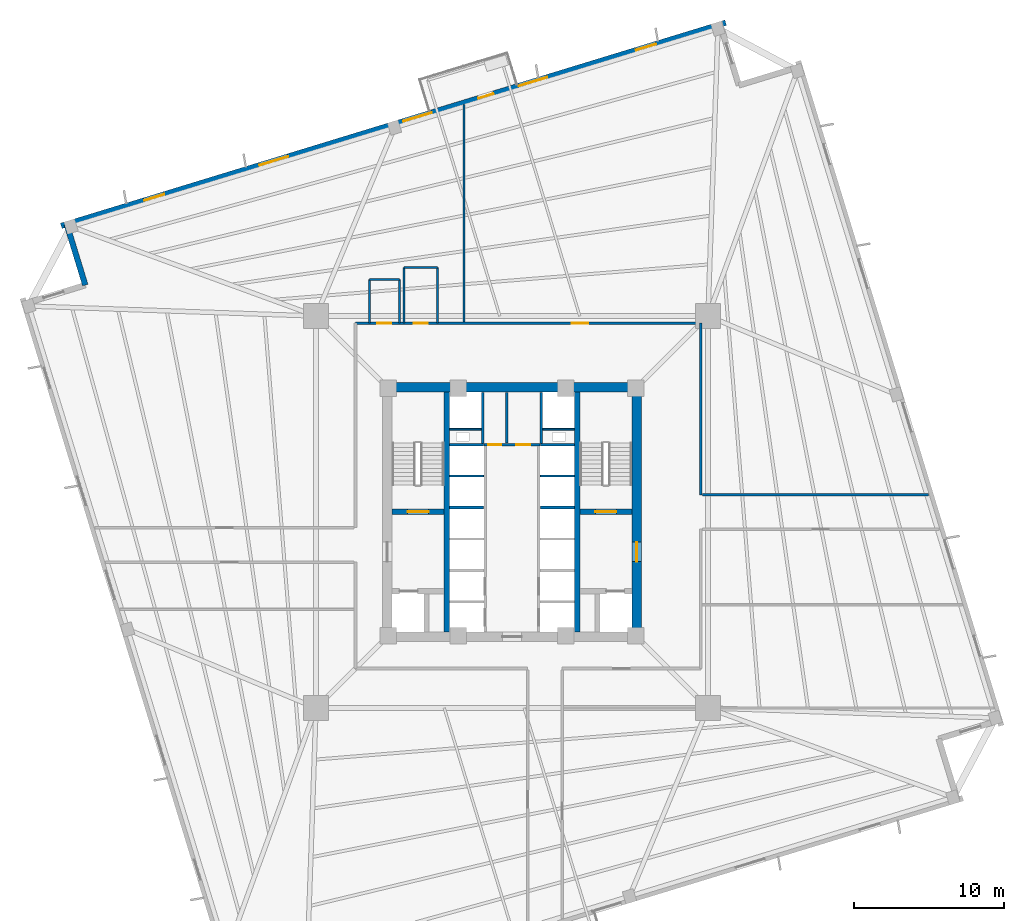
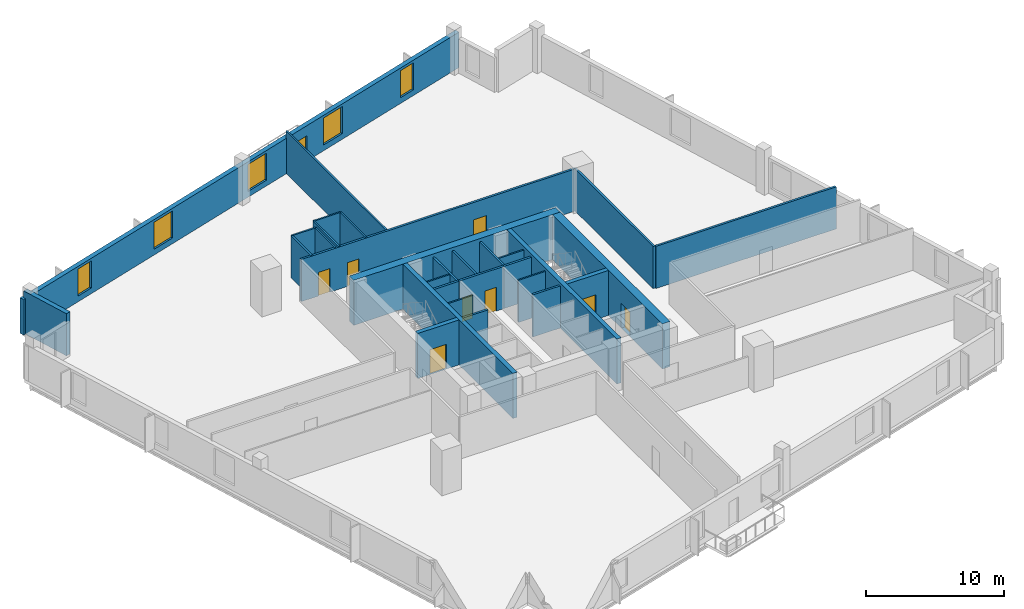
# One storey, part 4 of 8: 30 walls, 9 doors, 5 windows, 14 openings.
"""IFC4 building model written with IfcOpenShell, lengths in metres."""

import ifcopenshell
import ifcopenshell.guid

model = None  # the IFC model being written
_history = None  # IfcOwnerHistory: only IFC2X3 demands one
_inside = {}  # id of a spatial element -> (the spatial element, [elements in it])
_under = {}  # id of a project, library or spatial element -> (it, [spatial elements below it])
_declared = {}  # id of a project -> (the project, [libraries it declares])
_typed = {}  # id of a type object -> (the type object, [elements of that type])
_made_of = {}  # id of a material, layer set ... -> (it, [elements and type objects made of it])


def new_model(schema):
    """Start an empty IFC model of exactly this schema.

    Asked for "IFC4X3", IfcOpenShell would pick the latest addendum, in which some entities
    have other attributes; the version numbers below select the first issue.
    IFC2X3 requires an IfcOwnerHistory on every rooted entity: one is made here for all.
    """
    global model, _history
    if schema == "IFC4X3":
        model = ifcopenshell.file(schema_version=(4, 3, 0, 0))
    else:
        model = ifcopenshell.file(schema=schema)
    _inside.clear()
    _under.clear()
    _declared.clear()
    _typed.clear()
    _made_of.clear()
    _history = None
    if model.schema == "IFC2X3":
        org = make("IfcOrganization", Name="unknown")
        user = make(
            "IfcPersonAndOrganization",
            ThePerson=make("IfcPerson", FamilyName="unknown"),
            TheOrganization=org,
        )
        app = make(
            "IfcApplication",
            ApplicationDeveloper=org,
            Version="unknown",
            ApplicationFullName="unknown",
            ApplicationIdentifier="unknown",
        )
        _history = make(
            "IfcOwnerHistory",
            OwningUser=user,
            OwningApplication=app,
            ChangeAction="ADDED",
            CreationDate=0,
        )
    return model


def make(cls, **values):
    """One entity of the class cls with the attributes given. An attribute that is None is left unset."""
    return model.create_entity(
        cls, **{name: value for name, value in values.items() if value is not None}
    )


def rooted(cls, **values):
    """An entity with a GlobalId (a new one), such as an element, a storey or a relation."""
    return make(cls, GlobalId=ifcopenshell.guid.new(), OwnerHistory=_history, **values)


def si_unit(unit_type, name, prefix=None):
    """IfcSIUnit, for example si_unit("LENGTHUNIT", "METRE", prefix="MILLI")."""
    return make("IfcSIUnit", UnitType=unit_type, Prefix=prefix, Name=name)


def assignment(units):
    """IfcUnitAssignment: the units of a project."""
    return None if units is None else make("IfcUnitAssignment", Units=units)


def point(xyz):
    """IfcCartesianPoint."""
    return None if xyz is None else make("IfcCartesianPoint", Coordinates=xyz)


def direction(xyz):
    """IfcDirection."""
    return None if xyz is None else make("IfcDirection", DirectionRatios=xyz)


def frame(location, z_axis=None, x_axis=None):
    """IfcAxis2Placement3D, a coordinate frame: its origin and axes. An axis left out is left unset."""
    return make(
        "IfcAxis2Placement3D",
        Location=point(location),
        Axis=direction(z_axis),
        RefDirection=direction(x_axis),
    )


def frame_2d(location, x_axis=None):
    """IfcAxis2Placement2D, a coordinate frame in the plane: its origin and x axis."""
    return make(
        "IfcAxis2Placement2D", Location=point(location), RefDirection=direction(x_axis)
    )


def origin():
    """The frame at (0, 0, 0) with its axes left unset."""
    return frame((0.0, 0.0, 0.0))


def place(relative_to, where):
    """IfcLocalPlacement: puts the frame where relative to a parent placement (None: the world)."""
    return make(
        "IfcLocalPlacement", PlacementRelTo=relative_to, RelativePlacement=where
    )


def context(
    kind, dimensions, precision=None, world=None, true_north=None, identifier=None
):
    """IfcGeometricRepresentationContext, for example the 3D "Model" context."""
    return make(
        "IfcGeometricRepresentationContext",
        ContextIdentifier=identifier,
        ContextType=kind,
        CoordinateSpaceDimension=dimensions,
        Precision=precision,
        WorldCoordinateSystem=world,
        TrueNorth=true_north,
    )


def subcontext(parent, identifier, kind, view, scale=None):
    """IfcGeometricRepresentationSubContext, for example "Body" below "Model"."""
    return make(
        "IfcGeometricRepresentationSubContext",
        ContextIdentifier=identifier,
        ContextType=kind,
        ParentContext=parent,
        TargetScale=scale,
        TargetView=view,
    )


def project(units=None, contexts=None):
    """IfcProject with its units and contexts."""
    return rooted(
        "IfcProject",
        Name="project",
        RepresentationContexts=contexts,
        UnitsInContext=assignment(units),
    )


def spatial(cls, under=None, at=None, **own):
    """A site, building, storey or space (cls), placed at a placement, below another one or the project."""
    s = rooted(cls, ObjectPlacement=at, **own)
    if under is not None:
        _under.setdefault(under.id(), (under, []))[1].append(s)
    return s


def profile(cls, at=None, kind="AREA", **sizes):
    """A parametric profile (cls). Its sizes go by their IFC names, for example OverallWidth=200.0."""
    return make(cls, ProfileType=kind, Position=at, **sizes)


def rectangle(**sizes):
    """IfcRectangleProfileDef."""
    return profile("IfcRectangleProfileDef", **sizes)


def extrude(swept, where, along, depth):
    """IfcExtrudedAreaSolid: the profile swept, set in the frame where, extruded along a direction by depth."""
    return make(
        "IfcExtrudedAreaSolid",
        SweptArea=swept,
        Position=where,
        ExtrudedDirection=direction(along),
        Depth=depth,
    )


def shape(context_of_items, identifier, shape_type, items):
    """IfcShapeRepresentation: the items that make up one representation, for example the "Body"."""
    return make(
        "IfcShapeRepresentation",
        ContextOfItems=context_of_items,
        RepresentationIdentifier=identifier,
        RepresentationType=shape_type,
        Items=items,
    )


def source(mapping_origin, context_of_items, identifier, shape_type, items):
    """IfcRepresentationMap: a shape defined once, which mapped items show again and again."""
    return make(
        "IfcRepresentationMap",
        MappingOrigin=mapping_origin,
        MappedRepresentation=shape(context_of_items, identifier, shape_type, items),
    )


def transform(
    local_origin,
    x_axis=None,
    y_axis=None,
    z_axis=None,
    scale=None,
    scale2=None,
    scale3=None,
    uniform=True,
):
    """IfcCartesianTransformationOperator3D, or its non-uniform kind. x_axis, y_axis, z_axis: its Axis1, 2, 3."""
    if uniform:
        return make(
            "IfcCartesianTransformationOperator3D",
            Axis1=direction(x_axis),
            Axis2=direction(y_axis),
            LocalOrigin=point(local_origin),
            Scale=scale,
            Axis3=direction(z_axis),
        )
    return make(
        "IfcCartesianTransformationOperator3DnonUniform",
        Axis1=direction(x_axis),
        Axis2=direction(y_axis),
        LocalOrigin=point(local_origin),
        Scale=scale,
        Axis3=direction(z_axis),
        Scale2=scale2,
        Scale3=scale3,
    )


def mapped(mapping_source, mapping_target):
    """IfcMappedItem: shows the shape of a source again, moved by a transform."""
    return make(
        "IfcMappedItem", MappingSource=mapping_source, MappingTarget=mapping_target
    )


def material(Name=None, Category=None):
    """IfcMaterial."""
    return make("IfcMaterial", Name=Name, Category=Category)


def layer(
    of_material, thickness, ventilated=None, Name=None, Category=None, Priority=None
):
    """IfcMaterialLayer: one layer of a wall or slab, of a material (None: an air gap)."""
    return make(
        "IfcMaterialLayer",
        Material=of_material,
        LayerThickness=thickness,
        IsVentilated=ventilated,
        Name=Name,
        Category=Category,
        Priority=Priority,
    )


def layer_set(layers, Name=None):
    """IfcMaterialLayerSet."""
    return make("IfcMaterialLayerSet", MaterialLayers=layers, LayerSetName=Name)


def made_of(thing, what):
    """Note that an element or type object is made of a material, layer set ...; save() writes the relation."""
    if what is not None:
        _made_of.setdefault(what.id(), (what, []))[1].append(thing)
    return thing


def type_object(cls, material=None, **own):
    """A type object (cls), such as IfcWallType, which elements share."""
    return made_of(rooted(cls, **own), material)


def element(
    cls,
    number,
    at=None,
    inside=None,
    cuts=None,
    type_object=None,
    material=None,
    context=None,
    identifier="Body",
    shape_type=None,
    held_by="IfcProductDefinitionShape",
    body=None,
    shapes=None,
    **own,
):
    """One element of the class cls, such as IfcWall. Its Tag is "e" and its number.

    at: its placement. inside: the storey or other place that contains it. cuts: it is an
    opening in that element (IfcRelVoidsElement). A single representation is given by context,
    identifier, shape_type and body (its items); several are given by shapes. held_by: the class
    of the entity that holds the representations. save() writes the other relations.
    """
    e = rooted(cls, Tag="e%d" % number, ObjectPlacement=at, **own)
    if body is not None:
        shapes = [shape(context, identifier, shape_type, body)]
    if shapes is not None:
        e.Representation = make(held_by, Representations=shapes)
    if inside is not None:
        _inside.setdefault(inside.id(), (inside, []))[1].append(e)
    if cuts is not None:
        rooted(
            "IfcRelVoidsElement", RelatingBuildingElement=cuts, RelatedOpeningElement=e
        )
    if type_object is not None:
        _typed.setdefault(type_object.id(), (type_object, []))[1].append(e)
    return made_of(e, material)


def fill(opening, filler):
    """IfcRelFillsElement: the door or window that sits in an opening."""
    return rooted(
        "IfcRelFillsElement",
        RelatingOpeningElement=opening,
        RelatedBuildingElement=filler,
    )


def aggregate(whole, parts):
    """IfcRelAggregates: a whole, such as a stair, and the parts it consists of."""
    return rooted("IfcRelAggregates", RelatingObject=whole, RelatedObjects=parts)


def save(model, path):
    """Write the relations noted so far, then the file.

    IfcRelAggregates (storeys below a building ...), IfcRelContainedInSpatialStructure (elements
    in a storey), IfcRelDefinesByType, IfcRelAssociatesMaterial and IfcRelDeclares: one each for
    every whole, place, type object, material and project.
    """
    for whole, parts in _under.values():
        aggregate(whole, parts)
    for where, things in _inside.values():
        rooted(
            "IfcRelContainedInSpatialStructure",
            RelatedElements=things,
            RelatingStructure=where,
        )
    for kind, things in _typed.values():
        rooted("IfcRelDefinesByType", RelatedObjects=things, RelatingType=kind)
    for what, things in _made_of.values():
        rooted("IfcRelAssociatesMaterial", RelatedObjects=things, RelatingMaterial=what)
    for by, libraries in _declared.values():
        rooted("IfcRelDeclares", RelatingContext=by, RelatedDefinitions=libraries)
    model.write(path)


model = new_model("IFC4")

# Units and contexts
model_context = context("Model", 3, precision=1e-05, world=origin(), true_north=direction((0.0, 1.0)))
body_context = subcontext(model_context, "Body", "Model", "MODEL_VIEW")
ifc_project = project(units=[si_unit("LENGTHUNIT", "METRE"), si_unit("AREAUNIT", "SQUARE_METRE"), si_unit("VOLUMEUNIT", "CUBIC_METRE"), si_unit("PLANEANGLEUNIT", "RADIAN"), si_unit("MASSUNIT", "GRAM", prefix="KILO"), si_unit("THERMODYNAMICTEMPERATUREUNIT", "KELVIN")], contexts=[model_context])

# Site, building, storey
site_placement = place(None, origin())
site = spatial("IfcSite", under=ifc_project, at=site_placement, CompositionType="ELEMENT")
building_placement = place(site_placement, origin())
building = spatial("IfcBuilding", under=site, at=building_placement, Name="Kosmvard Interchange Tower", CompositionType="ELEMENT")
storey_placement = place(building_placement, frame((0.0, 0.0, 103.199951171875)))
storey = spatial("IfcBuildingStorey", under=building, at=storey_placement, Name="L24", CompositionType="ELEMENT", Elevation=103.199951171875)

# Walls
ifc_material_1 = material(Name="Acoustic gypsum partition system")
ifc_layer_1 = layer(ifc_material_1, 0.14990234375, Name="Acoustic gypsum partition system")
ifc_layer_set_1 = layer_set([ifc_layer_1], Name="Acoustic gypsum partition system")
wall_type_1 = type_object("IfcWallType", Name="Acoustic Suite & Meeting Partition 150", PredefinedType="PARTITIONING", material=ifc_layer_set_1)
wall_1_placement = place(storey_placement, frame((-3.199951171875, 12.695068359375, 0.0), z_axis=(0.0, 0.0, 1.0), x_axis=(0.0, 1.0, 0.0)))
element("IfcWall", 1, at=wall_1_placement, inside=storey, type_object=wall_type_1, Name="L24 Room Partition 01.1", PredefinedType="PARTITIONING", context=body_context, shape_type="SweptSolid", body=[
    extrude(rectangle(XDim=14.4921875, YDim=0.14990234375, at=frame_2d((7.24609375, 0.0))), origin(), (0.0, 0.0, 1.0), 3.739990234375),
])
ifc_material_2 = material(Name="Fire-rated gypsum partition system")
ifc_layer_2 = layer(ifc_material_2, 0.159912109375, Name="Fire-rated gypsum partition system")
ifc_layer_set_2 = layer_set([ifc_layer_2], Name="Fire-rated gypsum partition system")
wall_type_2 = type_object("IfcWallType", Name="Core Compartment & Shuttle Lobby Partition 160", PredefinedType="PARTITIONING", material=ifc_layer_set_2)
for number, where, z_axis, x_axis, name in (
    (2, (-1.9599609375, 4.580078125, 0.0), (0.0, 0.0, 1.0), (0.0, 1.0, 0.0), "L24 North Core West Wall"),
    (3, (1.9599609375, 4.580078125, 0.0), (0.0, 0.0, 1.0), (0.0, 1.0, 0.0), "L24 North Core East Wall"),
):
    element("IfcWall", number, at=place(storey_placement, frame(where, z_axis=z_axis, x_axis=x_axis)), inside=storey, type_object=wall_type_2, Name=name, PredefinedType="PARTITIONING", context=body_context, shape_type="SweptSolid", body=[
        extrude(rectangle(XDim=3.39990234375, YDim=0.159912109375, at=frame_2d((1.699951171875, 0.0))), origin(), (0.0, 0.0, 1.0), 3.739990234375),
    ])
ifc_material_3 = material(Name="Concrete blockwork masonry", Category="masonry")
ifc_layer_3 = layer(ifc_material_3, 0.159912109375, Name="Concrete blockwork masonry")
ifc_layer_set_3 = layer_set([ifc_layer_3], Name="Concrete blockwork masonry")
wall_type_3 = type_object("IfcWallType", Name="Core Enclosure Split Wall 160", PredefinedType="PARTITIONING", material=ifc_layer_set_3)
wall_2_placement = place(storey_placement, frame((-0.35009765625, 4.60009765625, 0.0), z_axis=(0.0, 0.0, 1.0), x_axis=(0.0, 1.0, 0.0)))
element("IfcWall", 4, at=wall_2_placement, inside=storey, type_object=wall_type_3, Name="L24 Core K2 Split Wall", PredefinedType="PARTITIONING", context=body_context, shape_type="SweptSolid", body=[
    extrude(rectangle(XDim=3.3798828125, YDim=0.159912109375, at=frame_2d((1.68994140625, 0.0))), origin(), (0.0, 0.0, 1.0), 3.739990234375),
])

# Wall, openings, doors
ifc_layer_4 = layer(ifc_material_2, 0.179931640625, Name="Fire-rated gypsum partition system")
ifc_layer_set_4 = layer_set([ifc_layer_4], Name="Fire-rated gypsum partition system")
wall_type_4 = type_object("IfcWallType", Name="Corridor & Hotel Compartment Partition 180", PredefinedType="PARTITIONING", material=ifc_layer_set_4)
wall_3_placement = place(storey_placement, frame((-1.8798828125, 4.489990234375, 0.0), z_axis=(0.0, 0.0, 1.0), x_axis=(1.0, 0.0, 0.0)))
wall_3 = element("IfcWall", 5, at=wall_3_placement, inside=storey, type_object=wall_type_4, Name="L24 Lift Lobby North Partition", PredefinedType="PARTITIONING", context=body_context, shape_type="SweptSolid", body=[
    extrude(rectangle(XDim=3.759765625, YDim=0.179931640625, at=frame_2d((1.8798828125, 0.0))), origin(), (0.0, 0.0, 1.0), 3.739990234375),
])
opening_1_placement = place(wall_3_placement, frame((0.280029296875, 0.0, 0.0)))
opening_1 = element("IfcOpeningElement", 6, at=opening_1_placement, cuts=wall_3, Name="Opening L24-KD1", PredefinedType="OPENING", context=body_context, shape_type="SweptSolid", body=[
    extrude(rectangle(XDim=0.8798828125, YDim=2.10009765625, at=frame_2d((0.43994140625, 1.050048828125))), frame((0.0, 0.10009765625, 0.0), z_axis=(0.0, -1.0, 0.0), x_axis=(1.0, 0.0, 0.0)), (0.0, 0.0, 1.0), 0.199951171875),
])
opening_2_placement = place(wall_3_placement, frame((2.14990234375, 0.0, 0.0)))
opening_2 = element("IfcOpeningElement", 7, at=opening_2_placement, cuts=wall_3, Name="Opening L24-KD2", PredefinedType="OPENING", context=body_context, shape_type="SweptSolid", body=[
    extrude(rectangle(XDim=0.949951171875, YDim=2.10009765625, at=frame_2d((0.47509765625, 1.050048828125))), frame((0.0, 0.10009765625, 0.0), z_axis=(0.0, -1.0, 0.0), x_axis=(1.0, 0.0, 0.0)), (0.0, 0.0, 1.0), 0.199951171875),
])
ifc_material_4 = material(Name="Painted fire-rated timber leaf", Category="wood")
door_type_1 = type_object("IfcDoorType", Name="Core Service Fire Door 950x2100 EI30", OperationType="NOTDEFINED", PredefinedType="DOOR", material=ifc_material_4)
shared_shape_1 = source(origin(), body_context, "Body", "SweptSolid", [
    extrude(rectangle(XDim=0.949951171875, YDim=2.10009765625, at=frame_2d((0.47509765625, 1.050048828125))), frame((0.0, 0.02490234375, 0.0), z_axis=(0.0, -1.0, 0.0), x_axis=(1.0, 0.0, 0.0)), (0.0, 0.0, 1.0), 0.050048828125),
])
door_1_placement = place(opening_2_placement, origin())
door_1 = element("IfcDoor", 8, at=door_1_placement, inside=storey, type_object=door_type_1, Name="L24 Core Tea Pantry Door", OperationType="SINGLE_SWING_RIGHT", OverallHeight=2.10009765625, OverallWidth=0.949951171875, PredefinedType="DOOR", context=body_context, shape_type="MappedRepresentation", body=[
    mapped(shared_shape_1, transform((0.0, 0.0, 0.0), scale=1.0)),
])
fill(opening_2, door_1)
door_type_2 = type_object("IfcDoorType", Name="Core Cupboard Fire Door 880x2100 EI30", OperationType="NOTDEFINED", PredefinedType="DOOR", material=ifc_material_4)
shared_shape_2 = source(origin(), body_context, "Body", "SweptSolid", [
    extrude(rectangle(XDim=0.8798828125, YDim=2.10009765625, at=frame_2d((0.43994140625, 1.050048828125))), frame((0.0, 0.02490234375, 0.0), z_axis=(0.0, -1.0, 0.0), x_axis=(1.0, 0.0, 0.0)), (0.0, 0.0, 1.0), 0.050048828125),
])
door_2_placement = place(opening_1_placement, origin())
door_2 = element("IfcDoor", 9, at=door_2_placement, inside=storey, type_object=door_type_2, Name="L24 Core Cleaner Cupboard Door", OperationType="SINGLE_SWING_LEFT", OverallHeight=2.10009765625, OverallWidth=0.8798828125, PredefinedType="DOOR", context=body_context, shape_type="MappedRepresentation", body=[
    mapped(shared_shape_2, transform((0.0, 0.0, 0.0), scale=1.0)),
])
fill(opening_1, door_2)

wall_4_placement = place(storey_placement, frame((-10.449951171875, 12.60009765625, 0.0), z_axis=(0.0, 0.0, 1.0), x_axis=(1.0, 0.0, 0.0)))
wall_4 = element("IfcWall", 10, at=wall_4_placement, inside=storey, type_object=wall_type_4, Name="L24 Corridor Wall CN", PredefinedType="PARTITIONING", context=body_context, shape_type="SweptSolid", body=[
    extrude(rectangle(XDim=23.050048828125, YDim=0.179931640625, at=frame_2d((11.52490234375, 0.0))), origin(), (0.0, 0.0, 1.0), 3.739990234375),
])
opening_3_placement = place(wall_4_placement, frame((1.455078125, 0.0, 0.0)))
opening_3 = element("IfcOpeningElement", 11, at=opening_3_placement, cuts=wall_4, Name="Opening L24-D01", PredefinedType="OPENING", context=body_context, shape_type="SweptSolid", body=[
    extrude(rectangle(XDim=0.949951171875, YDim=2.10009765625, at=frame_2d((0.47509765625, 1.050048828125))), frame((0.0, 0.10009765625, 0.0), z_axis=(0.0, -1.0, 0.0), x_axis=(1.0, 0.0, 0.0)), (0.0, 0.0, 1.0), 0.199951171875),
])
opening_4_placement = place(wall_4_placement, frame((3.879150390625, 0.0, 0.0)))
opening_4 = element("IfcOpeningElement", 12, at=opening_4_placement, cuts=wall_4, Name="Opening L24-D02", PredefinedType="OPENING", context=body_context, shape_type="SweptSolid", body=[
    extrude(rectangle(XDim=0.949951171875, YDim=2.10009765625, at=frame_2d((0.47509765625, 1.050048828125))), frame((0.0, 0.10009765625, 0.0), z_axis=(0.0, -1.0, 0.0), x_axis=(1.0, 0.0, 0.0)), (0.0, 0.0, 1.0), 0.199951171875),
])
opening_5_placement = place(wall_4_placement, frame((14.435546875, 0.0, 0.0)))
opening_5 = element("IfcOpeningElement", 13, at=opening_5_placement, cuts=wall_4, Name="Opening L24-D04", PredefinedType="OPENING", context=body_context, shape_type="SweptSolid", body=[
    extrude(rectangle(XDim=1.10009765625, YDim=2.199951171875, at=frame_2d((0.550048828125, 1.10009765625))), frame((0.0, 0.10009765625, 0.0), z_axis=(0.0, -1.0, 0.0), x_axis=(1.0, 0.0, 0.0)), (0.0, 0.0, 1.0), 0.199951171875),
])
ifc_material_5 = material(Name="Laminated moisture-resistant timber", Category="wood")
door_type_3 = type_object("IfcDoorType", Name="Accessible Washroom Door 950x2100", OperationType="NOTDEFINED", PredefinedType="DOOR", material=ifc_material_5)
door_3_placement = place(opening_3_placement, origin())
door_3 = element("IfcDoor", 14, at=door_3_placement, inside=storey, type_object=door_type_3, Name="L24 Accessible Toilet Door", OperationType="SINGLE_SWING_LEFT", OverallHeight=2.10009765625, OverallWidth=0.949951171875, PredefinedType="DOOR", context=body_context, shape_type="MappedRepresentation", body=[
    mapped(shared_shape_1, transform((0.0, 0.0, 0.0), scale=1.0)),
])
fill(opening_3, door_3)
door_4_placement = place(opening_4_placement, origin())
door_4 = element("IfcDoor", 15, at=door_4_placement, inside=storey, type_object=door_type_3, Name="L24 Public Floor Washroom Door", OperationType="SINGLE_SWING_RIGHT", OverallHeight=2.10009765625, OverallWidth=0.949951171875, PredefinedType="DOOR", context=body_context, shape_type="MappedRepresentation", body=[
    mapped(shared_shape_1, transform((0.0, 0.0, 0.0), scale=1.0)),
])
fill(opening_4, door_4)
ifc_material_6 = material(Name="Engineered oak fire-rated timber", Category="wood")
door_type_4 = type_object("IfcDoorType", Name="Office Suite Entrance Door 1100x2200 FD30S", OperationType="NOTDEFINED", PredefinedType="DOOR", material=ifc_material_6)
shared_shape_3 = source(origin(), body_context, "Body", "SweptSolid", [
    extrude(rectangle(XDim=1.10009765625, YDim=2.199951171875, at=frame_2d((0.550048828125, 1.10009765625))), frame((0.0, 0.02490234375, 0.0), z_axis=(0.0, -1.0, 0.0), x_axis=(1.0, 0.0, 0.0)), (0.0, 0.0, 1.0), 0.050048828125),
])
door_5_placement = place(opening_5_placement, origin())
door_5 = element("IfcDoor", 16, at=door_5_placement, inside=storey, type_object=door_type_4, Name="L24 Corporate Media Club Door", OperationType="SINGLE_SWING_RIGHT", OverallHeight=2.199951171875, OverallWidth=1.10009765625, PredefinedType="DOOR", context=body_context, shape_type="MappedRepresentation", body=[
    mapped(shared_shape_3, transform((0.0, 0.0, 0.0), scale=1.0)),
])
fill(opening_5, door_5)

# Walls
wall_5_placement = place(storey_placement, frame((12.60009765625, 1.14990234375, 0.0), z_axis=(0.0, 0.0, 1.0), x_axis=(0.0, 1.0, 0.0)))
element("IfcWall", 17, at=wall_5_placement, inside=storey, type_object=wall_type_4, Name="L24 Corridor Wall CEN", PredefinedType="PARTITIONING", context=body_context, shape_type="SweptSolid", body=[
    extrude(rectangle(XDim=11.4501953125, YDim=0.179931640625, at=frame_2d((5.72509765625, 0.0))), origin(), (0.0, 0.0, 1.0), 3.739990234375),
])
wall_6_placement = place(storey_placement, frame((12.699951171875, 1.14990234375, 0.0), z_axis=(0.0, 0.0, 1.0), x_axis=(1.0, 0.0, 0.0)))
element("IfcWall", 18, at=wall_6_placement, inside=storey, type_object=wall_type_4, Name="L24 Corridor Wall SEN", PredefinedType="PARTITIONING", context=body_context, shape_type="SweptSolid", body=[
    extrude(rectangle(XDim=15.1142578125, YDim=0.179931640625, at=frame_2d((7.55712890625, 0.0))), origin(), (0.0, 0.0, 1.0), 3.739990234375),
])

# Wall, openings, door, windows
ifc_material_7 = material(Name="Precast concrete C45/55", Category="concrete")
ifc_layer_5 = layer(ifc_material_7, 0.3798828125, Name="Precast concrete C45/55")
ifc_layer_set_5 = layer_set([ifc_layer_5], Name="Precast concrete C45/55")
wall_type_5 = type_object("IfcWallType", Name="Lower Tower Precast Pier Wall 380 C45/55", PredefinedType="STANDARD", material=ifc_layer_set_5)
wall_7_placement = place(storey_placement, frame((14.26513671875, 32.65771484375, 0.0), z_axis=(0.0, 0.0, 1.0), x_axis=(-0.956304320851, -0.292373127906, 0.0)))
wall_7 = element("IfcWall", 19, at=wall_7_placement, inside=storey, type_object=wall_type_5, Name="L24 Precast Facade Wall F-N", PredefinedType="STANDARD", context=body_context, shape_type="SweptSolid", body=[
    extrude(rectangle(XDim=46.380126953125, YDim=0.3798828125, at=frame_2d((23.18994140625, 0.0))), origin(), (0.0, 0.0, 1.0), 3.14013671875),
])
opening_6_placement = place(wall_7_placement, frame((16.215087890625, 0.0, 0.0)))
opening_6 = element("IfcOpeningElement", 20, at=opening_6_placement, cuts=wall_7, Name="Opening L24-BDN", PredefinedType="OPENING", context=body_context, shape_type="SweptSolid", body=[
    extrude(rectangle(XDim=1.050048828125, YDim=2.25, at=frame_2d((0.52490234375, 1.125))), frame((0.0, 0.199951171875, 0.0), z_axis=(0.0, -1.0, 0.0), x_axis=(1.0, 0.0, 0.0)), (0.0, 0.0, 1.0), 0.39990234375),
])
opening_7_placement = place(wall_7_placement, frame((4.865478515625, 0.0, 0.510009765625)))
opening_7 = element("IfcOpeningElement", 21, at=opening_7_placement, cuts=wall_7, Name="Opening L24-W11", PredefinedType="OPENING", context=body_context, shape_type="SweptSolid", body=[
    extrude(rectangle(XDim=1.39990234375, YDim=2.39990234375, at=frame_2d((0.699951171875, 1.199951171875))), frame((0.0, 0.199951171875, 0.0), z_axis=(0.0, -1.0, 0.0), x_axis=(1.0, 0.0, 0.0)), (0.0, 0.0, 1.0), 0.39990234375),
])
opening_8_placement = place(wall_7_placement, frame((12.4501953125, 0.0, 0.510009765625)))
opening_8 = element("IfcOpeningElement", 22, at=opening_8_placement, cuts=wall_7, Name="Opening L24-W12", PredefinedType="OPENING", context=body_context, shape_type="SweptSolid", body=[
    extrude(rectangle(XDim=2.0, YDim=2.39990234375, at=frame_2d((1.0, 1.199951171875))), frame((0.0, 0.199951171875, 0.0), z_axis=(0.0, -1.0, 0.0), x_axis=(1.0, 0.0, 0.0)), (0.0, 0.0, 1.0), 0.39990234375),
])
opening_9_placement = place(wall_7_placement, frame((20.512451171875, 0.0, 0.510009765625)))
opening_9 = element("IfcOpeningElement", 23, at=opening_9_placement, cuts=wall_7, Name="Opening L24-W13", PredefinedType="OPENING", context=body_context, shape_type="SweptSolid", body=[
    extrude(rectangle(XDim=2.0, YDim=2.39990234375, at=frame_2d((1.0, 1.199951171875))), frame((0.0, 0.199951171875, 0.0), z_axis=(0.0, -1.0, 0.0), x_axis=(1.0, 0.0, 0.0)), (0.0, 0.0, 1.0), 0.39990234375),
])
opening_10_placement = place(wall_7_placement, frame((30.538330078125, 0.0, 0.510009765625)))
opening_10 = element("IfcOpeningElement", 24, at=opening_10_placement, cuts=wall_7, Name="Opening L24-W14", PredefinedType="OPENING", context=body_context, shape_type="SweptSolid", body=[
    extrude(rectangle(XDim=2.0, YDim=2.39990234375, at=frame_2d((1.0, 1.199951171875))), frame((0.0, 0.199951171875, 0.0), z_axis=(0.0, -1.0, 0.0), x_axis=(1.0, 0.0, 0.0)), (0.0, 0.0, 1.0), 0.39990234375),
])
opening_11_placement = place(wall_7_placement, frame((39.186767578125, 0.0, 0.510009765625)))
opening_11 = element("IfcOpeningElement", 25, at=opening_11_placement, cuts=wall_7, Name="Opening L24-W15", PredefinedType="OPENING", context=body_context, shape_type="SweptSolid", body=[
    extrude(rectangle(XDim=1.39990234375, YDim=2.39990234375, at=frame_2d((0.699951171875, 1.199951171875))), frame((0.0, 0.199951171875, 0.0), z_axis=(0.0, -1.0, 0.0), x_axis=(1.0, 0.0, 0.0)), (0.0, 0.0, 1.0), 0.39990234375),
])
ifc_material_8 = material(Name="Anodised aluminium and safety glass", Category="aluminium")
door_type_5 = type_object("IfcDoorType", Name="Tree-Balcony Glazed Door 1050x2250", OperationType="NOTDEFINED", PredefinedType="DOOR", material=ifc_material_8)
shared_shape_4 = source(origin(), body_context, "Body", "SweptSolid", [
    extrude(rectangle(XDim=1.050048828125, YDim=2.25, at=frame_2d((0.52490234375, 1.125))), frame((0.0, 0.02490234375, 0.0), z_axis=(0.0, -1.0, 0.0), x_axis=(1.0, 0.0, 0.0)), (0.0, 0.0, 1.0), 0.050048828125),
])
door_6_placement = place(opening_6_placement, origin())
door_6 = element("IfcDoor", 26, at=door_6_placement, inside=storey, type_object=door_type_5, Name="L24 Tree-Balcony Door BAL-L24-N", OperationType="SINGLE_SWING_LEFT", OverallHeight=2.25, OverallWidth=1.050048828125, PredefinedType="DOOR", context=body_context, shape_type="MappedRepresentation", body=[
    mapped(shared_shape_4, transform((0.0, 0.0, 0.0), scale=1.0)),
])
fill(opening_6, door_6)
ifc_material_9 = material(Name="Low-E solar-control double glazing", Category="glass")
window_type_1 = type_object("IfcWindowType", Name="Notched Corner Feature Window 1400x2400", PartitioningType="SINGLE_PANEL", PredefinedType="WINDOW", material=ifc_material_9)
shared_shape_5 = source(origin(), body_context, "Body", "SweptSolid", [
    extrude(rectangle(XDim=1.39990234375, YDim=2.39990234375, at=frame_2d((0.699951171875, 1.199951171875))), frame((0.0, 0.030029296875, 0.0), z_axis=(0.0, -1.0, 0.0), x_axis=(1.0, 0.0, 0.0)), (0.0, 0.0, 1.0), 0.06005859375),
])
window_1_placement = place(opening_7_placement, origin())
window_1 = element("IfcWindow", 27, at=window_1_placement, inside=storey, type_object=window_type_1, Name="L24 Facade Punched Window 11", OverallHeight=2.39990234375, OverallWidth=1.39990234375, PartitioningType="SINGLE_PANEL", PredefinedType="WINDOW", context=body_context, shape_type="MappedRepresentation", body=[
    mapped(shared_shape_5, transform((0.0, 0.0, 0.0), scale=1.0)),
])
fill(opening_7, window_1)
window_2_placement = place(opening_11_placement, origin())
window_2 = element("IfcWindow", 28, at=window_2_placement, inside=storey, type_object=window_type_1, Name="L24 Facade Punched Window 15", OverallHeight=2.39990234375, OverallWidth=1.39990234375, PartitioningType="SINGLE_PANEL", PredefinedType="WINDOW", context=body_context, shape_type="MappedRepresentation", body=[
    mapped(shared_shape_5, transform((0.0, 0.0, 0.0), scale=1.0)),
])
fill(opening_11, window_2)
window_type_2 = type_object("IfcWindowType", Name="Zone 2 Office Punched Window 2000x2400", PartitioningType="SINGLE_PANEL", PredefinedType="WINDOW", material=ifc_material_9)
shared_shape_6 = source(origin(), body_context, "Body", "SweptSolid", [
    extrude(rectangle(XDim=2.0, YDim=2.39990234375, at=frame_2d((1.0, 1.199951171875))), frame((0.0, 0.030029296875, 0.0), z_axis=(0.0, -1.0, 0.0), x_axis=(1.0, 0.0, 0.0)), (0.0, 0.0, 1.0), 0.06005859375),
])
window_3_placement = place(opening_8_placement, origin())
window_3 = element("IfcWindow", 29, at=window_3_placement, inside=storey, type_object=window_type_2, Name="L24 Facade Punched Window 12", OverallHeight=2.39990234375, OverallWidth=2.0, PartitioningType="SINGLE_PANEL", PredefinedType="WINDOW", context=body_context, shape_type="MappedRepresentation", body=[
    mapped(shared_shape_6, transform((0.0, 0.0, 0.0), scale=1.0)),
])
fill(opening_8, window_3)
window_4_placement = place(opening_9_placement, origin())
window_4 = element("IfcWindow", 30, at=window_4_placement, inside=storey, type_object=window_type_2, Name="L24 Facade Punched Window 13", OverallHeight=2.39990234375, OverallWidth=2.0, PartitioningType="SINGLE_PANEL", PredefinedType="WINDOW", context=body_context, shape_type="MappedRepresentation", body=[
    mapped(shared_shape_6, transform((0.0, 0.0, 0.0), scale=1.0)),
])
fill(opening_9, window_4)
window_5_placement = place(opening_10_placement, origin())
window_5 = element("IfcWindow", 31, at=window_5_placement, inside=storey, type_object=window_type_2, Name="L24 Facade Punched Window 14", OverallHeight=2.39990234375, OverallWidth=2.0, PartitioningType="SINGLE_PANEL", PredefinedType="WINDOW", context=body_context, shape_type="MappedRepresentation", body=[
    mapped(shared_shape_6, transform((0.0, 0.0, 0.0), scale=1.0)),
])
fill(opening_10, window_5)

# Walls
wall_8_placement = place(storey_placement, frame((-29.724853515625, 19.20849609375, 0.0), z_axis=(0.0, 0.0, 1.0), x_axis=(0.292345507338, -0.956312764915, 0.0)))
element("IfcWall", 32, at=wall_8_placement, inside=storey, type_object=wall_type_5, Name="L24 Precast Facade Wall N-NW1", PredefinedType="STANDARD", context=body_context, shape_type="SweptSolid", body=[
    extrude(rectangle(XDim=4.249755859375, YDim=0.3798828125, at=frame_2d((2.125, 0.0))), origin(), (0.0, 0.0, 1.0), 3.739990234375),
])
ifc_material_10 = material(Name="Concrete C70/85", Category="concrete")
ifc_layer_6 = layer(ifc_material_10, 0.64990234375, Name="Concrete C70/85")
ifc_layer_set_6 = layer_set([ifc_layer_6], Name="Concrete C70/85")
wall_type_6 = type_object("IfcWallType", Name="Mid Core Shear Wall 650 C70/85", PredefinedType="SHEAR", material=ifc_layer_set_6)
wall_9_placement = place(storey_placement, frame((-8.64990234375, 8.324951171875, 0.0), z_axis=(0.0, 0.0, 1.0), x_axis=(1.0, 0.0, 0.0)))
element("IfcWall", 33, at=wall_9_placement, inside=storey, type_object=wall_type_6, Name="L24 Core Shear Wall CW-N", PredefinedType="SHEAR", context=body_context, shape_type="SweptSolid", body=[
    extrude(rectangle(XDim=17.2998046875, YDim=0.64990234375, at=frame_2d((8.64990234375, 0.0))), origin(), (0.0, 0.0, 1.0), 4.0),
])

# Wall, opening, door
wall_10_placement = place(storey_placement, frame((8.324951171875, -8.0, 0.0), z_axis=(0.0, 0.0, 1.0), x_axis=(0.0, 1.0, 0.0)))
wall_10 = element("IfcWall", 34, at=wall_10_placement, inside=storey, type_object=wall_type_6, Name="L24 Core Shear Wall CW-E", PredefinedType="SHEAR", context=body_context, shape_type="SweptSolid", body=[
    extrude(rectangle(XDim=16.0, YDim=0.64990234375, at=frame_2d((8.0, 0.0))), origin(), (0.0, 0.0, 1.0), 4.0),
])
opening_12_placement = place(wall_10_placement, frame((4.68994140625, 0.0, 0.0)))
opening_12 = element("IfcOpeningElement", 35, at=opening_12_placement, cuts=wall_10, Name="Opening L24-FD2", PredefinedType="OPENING", context=body_context, shape_type="SweptSolid", body=[
    extrude(rectangle(XDim=1.300048828125, YDim=2.199951171875, at=frame_2d((0.64990234375, 1.10009765625))), frame((0.0, 0.3349609375, 0.0), z_axis=(0.0, -1.0, 0.0), x_axis=(1.0, 0.0, 0.0)), (0.0, 0.0, 1.0), 0.669921875),
])
ifc_material_11 = material(Name="Painted fire-rated steel leaf", Category="steel")
door_type_6 = type_object("IfcDoorType", Name="Firefighting Lobby Door 1300x2200 EI60", OperationType="NOTDEFINED", PredefinedType="DOOR", material=ifc_material_11)
shared_shape_7 = source(origin(), body_context, "Body", "SweptSolid", [
    extrude(rectangle(XDim=1.300048828125, YDim=2.199951171875, at=frame_2d((0.64990234375, 1.10009765625))), frame((0.0, 0.02490234375, 0.0), z_axis=(0.0, -1.0, 0.0), x_axis=(1.0, 0.0, 0.0)), (0.0, 0.0, 1.0), 0.050048828125),
])
door_7_placement = place(opening_12_placement, origin())
door_7 = element("IfcDoor", 36, at=door_7_placement, inside=storey, type_object=door_type_6, Name="L24 Firefighting Lobby East Door", OperationType="SINGLE_SWING_RIGHT", OverallHeight=2.199951171875, OverallWidth=1.300048828125, PredefinedType="DOOR", context=body_context, shape_type="MappedRepresentation", body=[
    mapped(shared_shape_7, transform((0.0, 0.0, 0.0), scale=1.0)),
])
fill(opening_12, door_7)

# Walls
ifc_layer_7 = layer(ifc_material_3, 0.179931640625, Name="Concrete blockwork masonry")
ifc_layer_set_7 = layer_set([ifc_layer_7], Name="Concrete blockwork masonry")
wall_type_7 = type_object("IfcWallType", Name="Riser & Lift Bank Divider Wall 180", PredefinedType="PARTITIONING", material=ifc_layer_set_7)
for number, where, z_axis, x_axis, name in (
    (37, (-4.169921875, 0.300048828125, 0.0), (0.0, 0.0, 1.0), (1.0, 0.0, 0.0), "L24 West Bank Divider BD2"),
    (38, (1.889892578125, 0.300048828125, 0.0), (0.0, 0.0, 1.0), (1.0, 0.0, 0.0), "L24 East Bank Divider BD2"),
    (39, (-4.169921875, 4.489990234375, 0.0), (0.0, 0.0, 1.0), (1.0, 0.0, 0.0), "L24 West Bank Divider BD3"),
    (40, (1.889892578125, 4.489990234375, 0.0), (0.0, 0.0, 1.0), (1.0, 0.0, 0.0), "L24 East Bank Divider BD3"),
):
    element("IfcWall", number, at=place(storey_placement, frame(where, z_axis=z_axis, x_axis=x_axis)), inside=storey, type_object=wall_type_7, Name=name, PredefinedType="PARTITIONING", context=body_context, shape_type="SweptSolid", body=[
        extrude(rectangle(XDim=2.280029296875, YDim=0.179931640625, at=frame_2d((1.14013671875, 0.0))), origin(), (0.0, 0.0, 1.0), 3.739990234375),
    ])
ifc_material_12 = material(Name="Fire-rated gypsum shaftwall system")
ifc_layer_8 = layer(ifc_material_12, 0.1201171875, Name="Fire-rated gypsum shaftwall system")
ifc_layer_set_8 = layer_set([ifc_layer_8], Name="Fire-rated gypsum shaftwall system")
wall_type_8 = type_object("IfcWallType", Name="Shaft & Riser Fire Partition 120 EI60", PredefinedType="PARTITIONING", material=ifc_layer_set_8)
for number, where, z_axis, x_axis, name in (
    (41, (-4.159912109375, 2.39990234375, 0.0), (0.0, 0.0, 1.0), (1.0, 0.0, 0.0), "L24 Shaft Divider PL-H1"),
    (42, (1.89990234375, 2.39990234375, 0.0), (0.0, 0.0, 1.0), (1.0, 0.0, 0.0), "L24 Shaft Divider PL-H3"),
):
    element("IfcWall", number, at=place(storey_placement, frame(where, z_axis=z_axis, x_axis=x_axis)), inside=storey, type_object=wall_type_8, Name=name, PredefinedType="PARTITIONING", context=body_context, shape_type="SweptSolid", body=[
        extrude(rectangle(XDim=2.260009765625, YDim=0.1201171875, at=frame_2d((1.1298828125, 0.0))), origin(), (0.0, 0.0, 1.0), 3.739990234375),
    ])
for number, where, z_axis, x_axis, name in (
    (43, (-4.159912109375, 5.52001953125, 0.0), (0.0, 0.0, 1.0), (1.0, 0.0, 0.0), "L24 Riser Shaft Divider W"),
    (44, (2.06005859375, 5.52001953125, 0.0), (0.0, 0.0, 1.0), (1.0, 0.0, 0.0), "L24 Riser Shaft Divider E"),
):
    element("IfcWall", number, at=place(storey_placement, frame(where, z_axis=z_axis, x_axis=x_axis)), inside=storey, type_object=wall_type_8, Name=name, PredefinedType="PARTITIONING", context=body_context, shape_type="SweptSolid", body=[
        extrude(rectangle(XDim=2.099853515625, YDim=0.1201171875, at=frame_2d((1.0498046875, 0.0))), origin(), (0.0, 0.0, 1.0), 3.739990234375),
    ])
ifc_material_13 = material(Name="Concrete C60/75", Category="concrete")
ifc_layer_9 = layer(ifc_material_13, 0.360107421875, Name="Concrete C60/75")
ifc_layer_set_9 = layer_set([ifc_layer_9], Name="Concrete C60/75")
wall_type_9 = type_object("IfcWallType", Name="Stair & Lift Shaft Shear Wall 360 C60/75", PredefinedType="SHEAR", material=ifc_layer_set_9)
for number, where, z_axis, x_axis, name in (
    (45, (-4.360107421875, -8.0, 0.0), (0.0, 0.0, 1.0), (0.0, 1.0, 0.0), "L24 Shaft Shear Wall SW-W"),
    (46, (4.360107421875, -8.0, 0.0), (0.0, 0.0, 1.0), (0.0, 1.0, 0.0), "L24 Shaft Shear Wall SW-E"),
):
    element("IfcWall", number, at=place(storey_placement, frame(where, z_axis=z_axis, x_axis=x_axis)), inside=storey, type_object=wall_type_9, Name=name, PredefinedType="SHEAR", context=body_context, shape_type="SweptSolid", body=[
        extrude(rectangle(XDim=16.0, YDim=0.360107421875, at=frame_2d((8.0, 0.0))), origin(), (0.0, 0.0, 1.0), 4.0),
    ])

# Wall, opening, door
wall_11_placement = place(storey_placement, frame((-8.0, 0.02001953125, 0.0), z_axis=(0.0, 0.0, 1.0), x_axis=(1.0, 0.0, 0.0)))
wall_11 = element("IfcWall", 47, at=wall_11_placement, inside=storey, type_object=wall_type_9, Name="L24 Shaft Shear Wall SW-ST1", PredefinedType="SHEAR", context=body_context, shape_type="SweptSolid", body=[
    extrude(rectangle(XDim=3.4599609375, YDim=0.360107421875, at=frame_2d((1.72998046875, 0.0))), origin(), (0.0, 0.0, 1.0), 4.0),
])
opening_13_placement = place(wall_11_placement, frame((1.030029296875, 0.0, 0.0)))
opening_13 = element("IfcOpeningElement", 48, at=opening_13_placement, cuts=wall_11, Name="Opening L24-SD1", PredefinedType="OPENING", context=body_context, shape_type="SweptSolid", body=[
    extrude(rectangle(XDim=1.39990234375, YDim=2.199951171875, at=frame_2d((0.699951171875, 1.10009765625))), frame((0.0, 0.18994140625, 0.0), z_axis=(0.0, -1.0, 0.0), x_axis=(1.0, 0.0, 0.0)), (0.0, 0.0, 1.0), 0.380126953125),
])
door_type_7 = type_object("IfcDoorType", Name="Protected Stair Door 1400x2200 FD60S", OperationType="NOTDEFINED", PredefinedType="DOOR", material=ifc_material_11)
shared_shape_8 = source(origin(), body_context, "Body", "SweptSolid", [
    extrude(rectangle(XDim=1.39990234375, YDim=2.199951171875, at=frame_2d((0.699951171875, 1.10009765625))), frame((0.0, 0.02490234375, 0.0), z_axis=(0.0, -1.0, 0.0), x_axis=(1.0, 0.0, 0.0)), (0.0, 0.0, 1.0), 0.050048828125),
])
door_8_placement = place(opening_13_placement, origin())
door_8 = element("IfcDoor", 49, at=door_8_placement, inside=storey, type_object=door_type_7, Name="L24 Stair ST-1 Enclosure Door", OperationType="SINGLE_SWING_LEFT", OverallHeight=2.199951171875, OverallWidth=1.39990234375, PredefinedType="DOOR", context=body_context, shape_type="MappedRepresentation", body=[
    mapped(shared_shape_8, transform((0.0, 0.0, 0.0), scale=1.0)),
])
fill(opening_13, door_8)

wall_12_placement = place(storey_placement, frame((4.5400390625, 0.02001953125, 0.0), z_axis=(0.0, 0.0, 1.0), x_axis=(1.0, 0.0, 0.0)))
wall_12 = element("IfcWall", 50, at=wall_12_placement, inside=storey, type_object=wall_type_9, Name="L24 Shaft Shear Wall SW-ST2", PredefinedType="SHEAR", context=body_context, shape_type="SweptSolid", body=[
    extrude(rectangle(XDim=3.4599609375, YDim=0.360107421875, at=frame_2d((1.72998046875, 0.0))), origin(), (0.0, 0.0, 1.0), 4.0),
])
opening_14_placement = place(wall_12_placement, frame((1.030029296875, 0.0, 0.0)))
opening_14 = element("IfcOpeningElement", 51, at=opening_14_placement, cuts=wall_12, Name="Opening L24-SD2", PredefinedType="OPENING", context=body_context, shape_type="SweptSolid", body=[
    extrude(rectangle(XDim=1.39990234375, YDim=2.199951171875, at=frame_2d((0.699951171875, 1.10009765625))), frame((0.0, 0.18994140625, 0.0), z_axis=(0.0, -1.0, 0.0), x_axis=(1.0, 0.0, 0.0)), (0.0, 0.0, 1.0), 0.380126953125),
])
door_9_placement = place(opening_14_placement, origin())
door_9 = element("IfcDoor", 52, at=door_9_placement, inside=storey, type_object=door_type_7, Name="L24 Stair ST-2 Enclosure Door", OperationType="SINGLE_SWING_RIGHT", OverallHeight=2.199951171875, OverallWidth=1.39990234375, PredefinedType="DOOR", context=body_context, shape_type="MappedRepresentation", body=[
    mapped(shared_shape_8, transform((0.0, 0.0, 0.0), scale=1.0)),
])
fill(opening_14, door_9)

# Walls
ifc_material_14 = material(Name="Moisture-resistant gypsum partition")
ifc_layer_10 = layer(ifc_material_14, 0.135009765625, Name="Moisture-resistant gypsum partition")
ifc_layer_set_10 = layer_set([ifc_layer_10], Name="Moisture-resistant gypsum partition")
wall_type_10 = type_object("IfcWallType", Name="Wet Room Moisture-Resistant Partition 135", PredefinedType="PARTITIONING", material=ifc_layer_set_10)
wall_13_placement = place(storey_placement, frame((-7.52001953125, 12.6201171875, 0.0), z_axis=(0.0, 0.0, 1.0), x_axis=(0.0, 1.0, 0.0)))
element("IfcWall", 53, at=wall_13_placement, inside=storey, type_object=wall_type_10, Name="L24 Washroom Partition AWC1-E", PredefinedType="PARTITIONING", context=body_context, shape_type="SweptSolid", body=[
    extrude(rectangle(XDim=2.89990234375, YDim=0.135009765625, at=frame_2d((1.449951171875, 0.0))), origin(), (0.0, 0.0, 1.0), 3.739990234375),
])
wall_14_placement = place(storey_placement, frame((-9.52001953125, 15.52001953125, 0.0), z_axis=(0.0, 0.0, 1.0), x_axis=(1.0, 0.0, 0.0)))
element("IfcWall", 54, at=wall_14_placement, inside=storey, type_object=wall_type_10, Name="L24 Washroom Partition AWC1-N", PredefinedType="PARTITIONING", context=body_context, shape_type="SweptSolid", body=[
    extrude(rectangle(XDim=2.0, YDim=0.135009765625, at=frame_2d((1.0, 0.0))), origin(), (0.0, 0.0, 1.0), 3.739990234375),
])
wall_15_placement = place(storey_placement, frame((-9.52001953125, 12.6201171875, 0.0), z_axis=(0.0, 0.0, 1.0), x_axis=(0.0, 1.0, 0.0)))
element("IfcWall", 55, at=wall_15_placement, inside=storey, type_object=wall_type_10, Name="L24 Washroom Partition AWC1-W", PredefinedType="PARTITIONING", context=body_context, shape_type="SweptSolid", body=[
    extrude(rectangle(XDim=2.89990234375, YDim=0.135009765625, at=frame_2d((1.449951171875, 0.0))), origin(), (0.0, 0.0, 1.0), 3.739990234375),
])
wall_16_placement = place(storey_placement, frame((-4.970947265625, 12.6201171875, 0.0), z_axis=(0.0, 0.0, 1.0), x_axis=(0.0, 1.0, 0.0)))
element("IfcWall", 56, at=wall_16_placement, inside=storey, type_object=wall_type_10, Name="L24 Washroom Partition WC1-E", PredefinedType="PARTITIONING", context=body_context, shape_type="SweptSolid", body=[
    extrude(rectangle(XDim=3.699951171875, YDim=0.135009765625, at=frame_2d((1.85009765625, 0.0))), origin(), (0.0, 0.0, 1.0), 3.739990234375),
])
wall_17_placement = place(storey_placement, frame((-7.220947265625, 16.320068359375, 0.0), z_axis=(0.0, 0.0, 1.0), x_axis=(1.0, 0.0, 0.0)))
element("IfcWall", 57, at=wall_17_placement, inside=storey, type_object=wall_type_10, Name="L24 Washroom Partition WC1-N", PredefinedType="PARTITIONING", context=body_context, shape_type="SweptSolid", body=[
    extrude(rectangle(XDim=2.25, YDim=0.135009765625, at=frame_2d((1.125, 0.0))), origin(), (0.0, 0.0, 1.0), 3.739990234375),
])
wall_18_placement = place(storey_placement, frame((-7.220947265625, 12.6201171875, 0.0), z_axis=(0.0, 0.0, 1.0), x_axis=(0.0, 1.0, 0.0)))
element("IfcWall", 58, at=wall_18_placement, inside=storey, type_object=wall_type_10, Name="L24 Washroom Partition WC1-W", PredefinedType="PARTITIONING", context=body_context, shape_type="SweptSolid", body=[
    extrude(rectangle(XDim=3.699951171875, YDim=0.135009765625, at=frame_2d((1.85009765625, 0.0))), origin(), (0.0, 0.0, 1.0), 3.739990234375),
])

save(model, "model.ifc")
